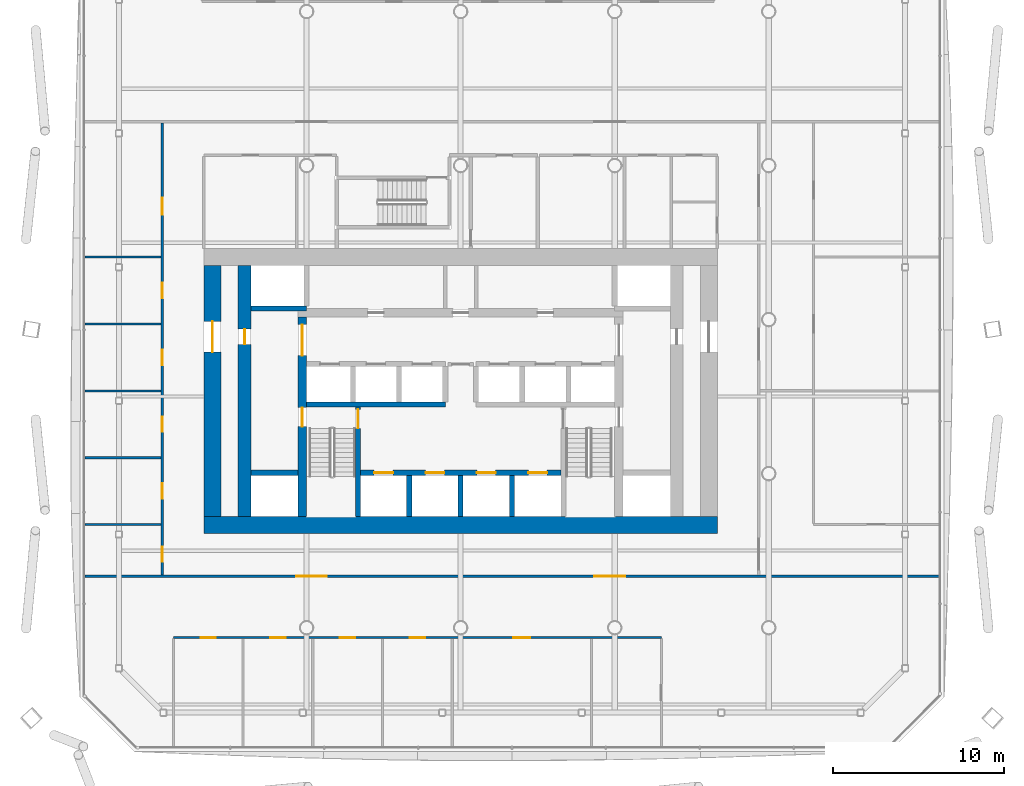
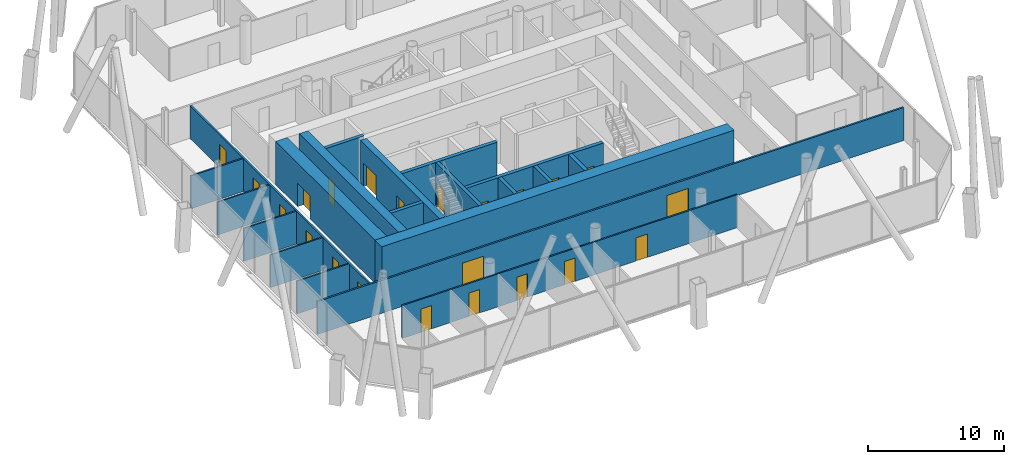
# One storey, part 14 of 22: 22 doors, 20 walls, 22 openings.
"""IFC4 building model written with IfcOpenShell, lengths in metres."""

from ifc_helpers import new_model, si_unit, direction, frame, frame_2d, origin, place, context, subcontext, project, spatial, rectangle, extrude, material, layer, layer_set, type_object, element, fill, save


model = new_model("IFC4")

# Units and contexts
model_context = context("Model", 3, precision=1e-05, world=origin(), true_north=direction((0.0, 1.0)))
body_context = subcontext(model_context, "Body", "Model", "MODEL_VIEW")
ifc_project = project(units=[si_unit("LENGTHUNIT", "METRE"), si_unit("AREAUNIT", "SQUARE_METRE"), si_unit("VOLUMEUNIT", "CUBIC_METRE"), si_unit("PLANEANGLEUNIT", "RADIAN"), si_unit("MASSUNIT", "GRAM", prefix="KILO")], contexts=[model_context])

# Site, building, storey
site_placement = place(None, origin())
site = spatial("IfcSite", under=ifc_project, at=site_placement, CompositionType="ELEMENT")
building_placement = place(site_placement, origin())
building = spatial("IfcBuilding", under=site, at=building_placement, Name="Tskaro Facet Tower", CompositionType="ELEMENT")
storey_placement = place(building_placement, frame((0.0, 0.0, 73.800048828125)))
storey = spatial("IfcBuildingStorey", under=building, at=storey_placement, Name="L17", CompositionType="ELEMENT", Elevation=73.800048828125)

# Wall
ifc_material_1 = material(Name="Concrete C60/75", Category="concrete")
ifc_layer_1 = layer(ifc_material_1, 0.300048828125, Name="Concrete C60/75")
ifc_layer_set_1 = layer_set([ifc_layer_1], Name="Concrete C60/75")
wall_type_1 = type_object("IfcWallType", Name="CORE-SHAFT", PredefinedType="SHEAR", material=ifc_layer_set_1)
wall_1_placement = place(storey_placement, frame((-12.25, -8.949951171875, 0.0), z_axis=(0.0, 0.0, 1.0), x_axis=(1.0, 0.0, 0.0)))
element("IfcWall", 1, at=wall_1_placement, inside=storey, type_object=wall_type_1, Name="Shaft wall W005", PredefinedType="SHEAR", context=body_context, shape_type="SweptSolid", body=[
    extrude(rectangle(XDim=2.75, YDim=0.300048828125, at=frame_2d((1.375, 0.0))), origin(), (0.0, 0.0, 1.0), 3.89990234375),
])

# Wall, openings, doors
wall_2_placement = place(storey_placement, frame((-5.85009765625, -8.949951171875, 0.0), z_axis=(0.0, 0.0, 1.0), x_axis=(1.0, 0.0, 0.0)))
wall_2 = element("IfcWall", 2, at=wall_2_placement, inside=storey, type_object=wall_type_1, Name="Shaft wall W006", PredefinedType="SHEAR", context=body_context, shape_type="SweptSolid", body=[
    extrude(rectangle(XDim=11.7001953125, YDim=0.300048828125, at=frame_2d((5.85009765625, 0.0))), origin(), (0.0, 0.0, 1.0), 3.89990234375),
])
opening_1_placement = place(wall_2_placement, frame((0.800048828125, 0.0, 0.0)))
opening_1 = element("IfcOpeningElement", 3, at=opening_1_placement, cuts=wall_2, Name="Opening LD-FF1", PredefinedType="OPENING", context=body_context, shape_type="SweptSolid", body=[
    extrude(rectangle(XDim=1.10009765625, YDim=2.10009765625, at=frame_2d((0.550048828125, 1.050048828125))), frame((0.0, 0.159912109375, 0.0), z_axis=(0.0, -1.0, 0.0), x_axis=(1.0, 0.0, 0.0)), (0.0, 0.0, 1.0), 0.320068359375),
])
opening_2_placement = place(wall_2_placement, frame((3.800048828125, 0.0, 0.0)))
opening_2 = element("IfcOpeningElement", 4, at=opening_2_placement, cuts=wall_2, Name="Opening LD-FF2", PredefinedType="OPENING", context=body_context, shape_type="SweptSolid", body=[
    extrude(rectangle(XDim=1.10009765625, YDim=2.10009765625, at=frame_2d((0.550048828125, 1.050048828125))), frame((0.0, 0.159912109375, 0.0), z_axis=(0.0, -1.0, 0.0), x_axis=(1.0, 0.0, 0.0)), (0.0, 0.0, 1.0), 0.320068359375),
])
opening_3_placement = place(wall_2_placement, frame((6.800048828125, 0.0, 0.0)))
opening_3 = element("IfcOpeningElement", 5, at=opening_3_placement, cuts=wall_2, Name="Opening LD-SV1", PredefinedType="OPENING", context=body_context, shape_type="SweptSolid", body=[
    extrude(rectangle(XDim=1.10009765625, YDim=2.10009765625, at=frame_2d((0.550048828125, 1.050048828125))), frame((0.0, 0.159912109375, 0.0), z_axis=(0.0, -1.0, 0.0), x_axis=(1.0, 0.0, 0.0)), (0.0, 0.0, 1.0), 0.320068359375),
])
opening_4_placement = place(wall_2_placement, frame((9.800048828125, 0.0, 0.0)))
opening_4 = element("IfcOpeningElement", 6, at=opening_4_placement, cuts=wall_2, Name="Opening LD-SV2", PredefinedType="OPENING", context=body_context, shape_type="SweptSolid", body=[
    extrude(rectangle(XDim=1.10009765625, YDim=2.10009765625, at=frame_2d((0.550048828125, 1.050048828125))), frame((0.0, 0.159912109375, 0.0), z_axis=(0.0, -1.0, 0.0), x_axis=(1.0, 0.0, 0.0)), (0.0, 0.0, 1.0), 0.320068359375),
])
ifc_material_2 = material(Name="Stainless steel", Category="steel")
door_type_1 = type_object("IfcDoorType", Name="D-LANDING", OperationType="NOTDEFINED", PredefinedType="DOOR", material=ifc_material_2)
door_1_placement = place(opening_1_placement, origin())
door_1 = element("IfcDoor", 7, at=door_1_placement, inside=storey, type_object=door_type_1, Name="Landing door FF1", OperationType="DOUBLE_DOOR_SLIDING", OverallHeight=2.10009765625, OverallWidth=1.10009765625, PredefinedType="DOOR", context=body_context, shape_type="SweptSolid", body=[
    extrude(rectangle(XDim=1.10009765625, YDim=2.10009765625, at=frame_2d((0.550048828125, 1.050048828125))), frame((0.0, 0.02490234375, 0.0), z_axis=(0.0, -1.0, 0.0), x_axis=(1.0, 0.0, 0.0)), (0.0, 0.0, 1.0), 0.050048828125),
])
fill(opening_1, door_1)
door_2_placement = place(opening_2_placement, origin())
door_2 = element("IfcDoor", 8, at=door_2_placement, inside=storey, type_object=door_type_1, Name="Landing door FF2", OperationType="DOUBLE_DOOR_SLIDING", OverallHeight=2.10009765625, OverallWidth=1.10009765625, PredefinedType="DOOR", context=body_context, shape_type="SweptSolid", body=[
    extrude(rectangle(XDim=1.10009765625, YDim=2.10009765625, at=frame_2d((0.550048828125, 1.050048828125))), frame((0.0, 0.02490234375, 0.0), z_axis=(0.0, -1.0, 0.0), x_axis=(1.0, 0.0, 0.0)), (0.0, 0.0, 1.0), 0.050048828125),
])
fill(opening_2, door_2)
door_3_placement = place(opening_3_placement, origin())
door_3 = element("IfcDoor", 9, at=door_3_placement, inside=storey, type_object=door_type_1, Name="Landing door SV1", OperationType="DOUBLE_DOOR_SLIDING", OverallHeight=2.10009765625, OverallWidth=1.10009765625, PredefinedType="DOOR", context=body_context, shape_type="SweptSolid", body=[
    extrude(rectangle(XDim=1.10009765625, YDim=2.10009765625, at=frame_2d((0.550048828125, 1.050048828125))), frame((0.0, 0.02490234375, 0.0), z_axis=(0.0, -1.0, 0.0), x_axis=(1.0, 0.0, 0.0)), (0.0, 0.0, 1.0), 0.050048828125),
])
fill(opening_3, door_3)
door_4_placement = place(opening_4_placement, origin())
door_4 = element("IfcDoor", 10, at=door_4_placement, inside=storey, type_object=door_type_1, Name="Landing door SV2", OperationType="DOUBLE_DOOR_SLIDING", OverallHeight=2.10009765625, OverallWidth=1.10009765625, PredefinedType="DOOR", context=body_context, shape_type="SweptSolid", body=[
    extrude(rectangle(XDim=1.10009765625, YDim=2.10009765625, at=frame_2d((0.550048828125, 1.050048828125))), frame((0.0, 0.02490234375, 0.0), z_axis=(0.0, -1.0, 0.0), x_axis=(1.0, 0.0, 0.0)), (0.0, 0.0, 1.0), 0.050048828125),
])
fill(opening_4, door_4)

# Walls
wall_3_placement = place(storey_placement, frame((-9.0, -4.949951171875, 0.0), z_axis=(0.0, 0.0, 1.0), x_axis=(1.0, 0.0, 0.0)))
element("IfcWall", 11, at=wall_3_placement, inside=storey, type_object=wall_type_1, Name="Shaft wall W009", PredefinedType="SHEAR", context=body_context, shape_type="SweptSolid", body=[
    extrude(rectangle(XDim=8.10009765625, YDim=0.300048828125, at=frame_2d((4.050048828125, 0.0))), origin(), (0.0, 0.0, 1.0), 3.89990234375),
])
wall_4_placement = place(storey_placement, frame((-9.0, 0.64990234375, 0.0), z_axis=(0.0, 0.0, 1.0), x_axis=(-1.0, 0.0, 0.0)))
element("IfcWall", 12, at=wall_4_placement, inside=storey, type_object=wall_type_1, Name="Shaft wall W018", PredefinedType="SHEAR", context=body_context, shape_type="SweptSolid", body=[
    extrude(rectangle(XDim=3.25, YDim=0.300048828125, at=frame_2d((1.625, 0.0))), origin(), (0.0, 0.0, 1.0), 3.89990234375),
])

# Wall, opening, door
wall_5_placement = place(storey_placement, frame((-6.0, -11.5, 0.0), z_axis=(0.0, 0.0, 1.0), x_axis=(0.0, 1.0, 0.0)))
wall_5 = element("IfcWall", 13, at=wall_5_placement, inside=storey, type_object=wall_type_1, Name="Shaft wall W043", PredefinedType="SHEAR", context=body_context, shape_type="SweptSolid", body=[
    extrude(rectangle(XDim=6.39990234375, YDim=0.300048828125, at=frame_2d((3.199951171875, 0.0))), origin(), (0.0, 0.0, 1.0), 3.89990234375),
])
opening_5_placement = place(wall_5_placement, frame((5.14990234375, 0.0, 0.0)))
opening_5 = element("IfcOpeningElement", 14, at=opening_5_placement, cuts=wall_5, Name="Opening ST-1-D1", PredefinedType="OPENING", context=body_context, shape_type="SweptSolid", body=[
    extrude(rectangle(XDim=1.10009765625, YDim=2.10009765625, at=frame_2d((0.550048828125, 1.050048828125))), frame((0.0, 0.159912109375, 0.0), z_axis=(0.0, -1.0, 0.0), x_axis=(1.0, 0.0, 0.0)), (0.0, 0.0, 1.0), 0.320068359375),
])
ifc_material_3 = material(Name="Steel", Category="steel")
door_type_2 = type_object("IfcDoorType", Name="D-STAIR", OperationType="NOTDEFINED", PredefinedType="DOOR", material=ifc_material_3)
door_5_placement = place(opening_5_placement, origin())
door_5 = element("IfcDoor", 15, at=door_5_placement, inside=storey, type_object=door_type_2, Name="Stair door 1", OperationType="SINGLE_SWING_LEFT", OverallHeight=2.10009765625, OverallWidth=1.10009765625, PredefinedType="DOOR", context=body_context, shape_type="SweptSolid", body=[
    extrude(rectangle(XDim=1.10009765625, YDim=2.10009765625, at=frame_2d((0.550048828125, 1.050048828125))), frame((0.0, 0.02490234375, 0.0), z_axis=(0.0, -1.0, 0.0), x_axis=(1.0, 0.0, 0.0)), (0.0, 0.0, 1.0), 0.050048828125),
])
fill(opening_5, door_5)

# Walls
for number, where, z_axis, x_axis, name in (
    (16, (-3.0, -11.5, 0.0), (0.0, 0.0, 1.0), (0.0, 1.0, 0.0), "Shaft wall W046"),
    (17, (0.0, -11.5, 0.0), (0.0, 0.0, 1.0), (0.0, 1.0, 0.0), "Shaft wall W053"),
    (18, (3.0, -11.5, 0.0), (0.0, 0.0, 1.0), (0.0, 1.0, 0.0), "Shaft wall W057"),
):
    element("IfcWall", number, at=place(storey_placement, frame(where, z_axis=z_axis, x_axis=x_axis)), inside=storey, type_object=wall_type_1, Name=name, PredefinedType="SHEAR", context=body_context, shape_type="SweptSolid", body=[
        extrude(rectangle(XDim=2.39990234375, YDim=0.300048828125, at=frame_2d((1.199951171875, 0.0))), origin(), (0.0, 0.0, 1.0), 3.89990234375),
    ])
ifc_layer_2 = layer(ifc_material_1, 1.0, Name="Concrete C60/75")
ifc_layer_set_2 = layer_set([ifc_layer_2], Name="Concrete C60/75")
wall_type_2 = type_object("IfcWallType", Name="Core wall 1000", PredefinedType="SHEAR", material=ifc_layer_set_2)
wall_6_placement = place(storey_placement, frame((-15.0, -12.0, 0.0), z_axis=(0.0, 0.0, 1.0), x_axis=(1.0, 0.0, 0.0)))
element("IfcWall", 19, at=wall_6_placement, inside=storey, type_object=wall_type_2, Name="Core wall CW-Z1S", PredefinedType="SHEAR", context=body_context, shape_type="SweptSolid", body=[
    extrude(rectangle(XDim=30.0, YDim=1.0, at=frame_2d((15.0, 0.0))), origin(), (0.0, 0.0, 1.0), 3.89990234375),
])

# Wall, opening, door
wall_7_placement = place(storey_placement, frame((-14.5, -11.5, 0.0), z_axis=(0.0, 0.0, 1.0), x_axis=(0.0, 1.0, 0.0)))
wall_7 = element("IfcWall", 20, at=wall_7_placement, inside=storey, type_object=wall_type_2, Name="Core wall CW-Z1W", PredefinedType="SHEAR", context=body_context, shape_type="SweptSolid", body=[
    extrude(rectangle(XDim=14.64990234375, YDim=1.0, at=frame_2d((7.324951171875, 0.0))), origin(), (0.0, 0.0, 1.0), 3.89990234375),
])
opening_6_placement = place(wall_7_placement, frame((9.60009765625, 0.0, 0.0)))
opening_6 = element("IfcOpeningElement", 21, at=opening_6_placement, cuts=wall_7, Name="Opening T5-D20", PredefinedType="OPENING", context=body_context, shape_type="SweptSolid", body=[
    extrude(rectangle(XDim=1.800048828125, YDim=2.10009765625, at=frame_2d((0.89990234375, 1.050048828125))), frame((0.0, 0.510009765625, 0.0), z_axis=(0.0, -1.0, 0.0), x_axis=(1.0, 0.0, 0.0)), (0.0, 0.0, 1.0), 1.02001953125),
])
door_type_3 = type_object("IfcDoorType", Name="D-CORE-PAIR", OperationType="NOTDEFINED", PredefinedType="DOOR", material=ifc_material_3)
door_6_placement = place(opening_6_placement, origin())
door_6 = element("IfcDoor", 22, at=door_6_placement, inside=storey, type_object=door_type_3, Name="Door T5-D20", OperationType="DOUBLE_DOOR_SINGLE_SWING", OverallHeight=2.10009765625, OverallWidth=1.800048828125, PredefinedType="DOOR", context=body_context, shape_type="SweptSolid", body=[
    extrude(rectangle(XDim=1.800048828125, YDim=2.10009765625, at=frame_2d((0.89990234375, 1.050048828125))), frame((0.0, 0.02490234375, 0.0), z_axis=(0.0, -1.0, 0.0), x_axis=(1.0, 0.0, 0.0)), (0.0, 0.0, 1.0), 0.050048828125),
])
fill(opening_6, door_6)

# Wall, openings, doors
ifc_material_4 = material(Name="Concrete C40/50", Category="concrete")
ifc_layer_3 = layer(ifc_material_4, 0.5, Name="Concrete C40/50")
ifc_layer_set_3 = layer_set([ifc_layer_3], Name="Concrete C40/50")
wall_type_3 = type_object("IfcWallType", Name="Core wall 500", PredefinedType="SHEAR", material=ifc_layer_set_3)
wall_8_placement = place(storey_placement, frame((-9.25, -11.5, 0.0), z_axis=(0.0, 0.0, 1.0), x_axis=(0.0, 1.0, 0.0)))
wall_8 = element("IfcWall", 23, at=wall_8_placement, inside=storey, type_object=wall_type_3, Name="Core wall CW-Z3W", PredefinedType="SHEAR", context=body_context, shape_type="SweptSolid", body=[
    extrude(rectangle(XDim=11.64990234375, YDim=0.5, at=frame_2d((5.824951171875, 0.0))), origin(), (0.0, 0.0, 1.0), 3.89990234375),
])
opening_7_placement = place(wall_8_placement, frame((9.39990234375, 0.0, 0.0)))
opening_7 = element("IfcOpeningElement", 24, at=opening_7_placement, cuts=wall_8, Name="Opening T5-D18", PredefinedType="OPENING", context=body_context, shape_type="SweptSolid", body=[
    extrude(rectangle(XDim=1.800048828125, YDim=2.10009765625, at=frame_2d((0.89990234375, 1.050048828125))), frame((0.0, 0.260009765625, 0.0), z_axis=(0.0, -1.0, 0.0), x_axis=(1.0, 0.0, 0.0)), (0.0, 0.0, 1.0), 0.52001953125),
])
opening_8_placement = place(wall_8_placement, frame((5.25, 0.0, 0.0)))
opening_8 = element("IfcOpeningElement", 25, at=opening_8_placement, cuts=wall_8, Name="Opening ST-1-D2", PredefinedType="OPENING", context=body_context, shape_type="SweptSolid", body=[
    extrude(rectangle(XDim=1.10009765625, YDim=2.10009765625, at=frame_2d((0.550048828125, 1.050048828125))), frame((0.0, 0.260009765625, 0.0), z_axis=(0.0, -1.0, 0.0), x_axis=(1.0, 0.0, 0.0)), (0.0, 0.0, 1.0), 0.52001953125),
])
door_7_placement = place(opening_7_placement, origin())
door_7 = element("IfcDoor", 26, at=door_7_placement, inside=storey, type_object=door_type_3, Name="Door T5-D18", OperationType="DOUBLE_DOOR_SINGLE_SWING", OverallHeight=2.10009765625, OverallWidth=1.800048828125, PredefinedType="DOOR", context=body_context, shape_type="SweptSolid", body=[
    extrude(rectangle(XDim=1.800048828125, YDim=2.10009765625, at=frame_2d((0.89990234375, 1.050048828125))), frame((0.0, 0.02490234375, 0.0), z_axis=(0.0, -1.0, 0.0), x_axis=(1.0, 0.0, 0.0)), (0.0, 0.0, 1.0), 0.050048828125),
])
fill(opening_7, door_7)
door_8_placement = place(opening_8_placement, origin())
door_8 = element("IfcDoor", 27, at=door_8_placement, inside=storey, type_object=door_type_2, Name="Stair door 1 west", OperationType="SINGLE_SWING_LEFT", OverallHeight=2.10009765625, OverallWidth=1.10009765625, PredefinedType="DOOR", context=body_context, shape_type="SweptSolid", body=[
    extrude(rectangle(XDim=1.10009765625, YDim=2.10009765625, at=frame_2d((0.550048828125, 1.050048828125))), frame((0.0, 0.02490234375, 0.0), z_axis=(0.0, -1.0, 0.0), x_axis=(1.0, 0.0, 0.0)), (0.0, 0.0, 1.0), 0.050048828125),
])
fill(opening_8, door_8)

# Wall, opening, door
ifc_material_5 = material(Name="Concrete C50/60", Category="concrete")
ifc_layer_4 = layer(ifc_material_5, 0.75, Name="Concrete C50/60")
ifc_layer_set_4 = layer_set([ifc_layer_4], Name="Concrete C50/60")
wall_type_4 = type_object("IfcWallType", Name="Core wall 750", PredefinedType="SHEAR", material=ifc_layer_set_4)
wall_9_placement = place(storey_placement, frame((-12.625, -11.5, 0.0), z_axis=(0.0, 0.0, 1.0), x_axis=(0.0, 1.0, 0.0)))
wall_9 = element("IfcWall", 28, at=wall_9_placement, inside=storey, type_object=wall_type_4, Name="Core wall CW-Z2W", PredefinedType="SHEAR", context=body_context, shape_type="SweptSolid", body=[
    extrude(rectangle(XDim=14.64990234375, YDim=0.75, at=frame_2d((7.324951171875, 0.0))), origin(), (0.0, 0.0, 1.0), 3.89990234375),
])
opening_9_placement = place(wall_9_placement, frame((10.050048828125, 0.0, 0.0)))
opening_9 = element("IfcOpeningElement", 29, at=opening_9_placement, cuts=wall_9, Name="Opening T5-D21", PredefinedType="OPENING", context=body_context, shape_type="SweptSolid", body=[
    extrude(rectangle(XDim=0.89990234375, YDim=2.10009765625, at=frame_2d((0.449951171875, 1.050048828125))), frame((0.0, 0.385009765625, 0.0), z_axis=(0.0, -1.0, 0.0), x_axis=(1.0, 0.0, 0.0)), (0.0, 0.0, 1.0), 0.77001953125),
])
ifc_material_6 = material(Name="Timber", Category="wood")
door_type_4 = type_object("IfcDoorType", Name="D-ROOM", OperationType="NOTDEFINED", PredefinedType="DOOR", material=ifc_material_6)
door_9_placement = place(opening_9_placement, origin())
door_9 = element("IfcDoor", 30, at=door_9_placement, inside=storey, type_object=door_type_4, Name="Door T5-D21", OperationType="SINGLE_SWING_LEFT", OverallHeight=2.10009765625, OverallWidth=0.89990234375, PredefinedType="DOOR", context=body_context, shape_type="SweptSolid", body=[
    extrude(rectangle(XDim=0.89990234375, YDim=2.10009765625, at=frame_2d((0.449951171875, 1.050048828125))), frame((0.0, 0.02490234375, 0.0), z_axis=(0.0, -1.0, 0.0), x_axis=(1.0, 0.0, 0.0)), (0.0, 0.0, 1.0), 0.050048828125),
])
fill(opening_9, door_9)

# Wall, openings, doors
ifc_material_7 = material(Name="Gypsum board on steel studs", Category="steel")
ifc_layer_5 = layer(ifc_material_7, 0.125, Name="Gypsum board on steel studs")
ifc_layer_set_5 = layer_set([ifc_layer_5], Name="Gypsum board on steel studs")
wall_type_5 = type_object("IfcWallType", Name="PART", PredefinedType="PARTITIONING", material=ifc_layer_set_5)
wall_10_placement = place(storey_placement, frame((11.72607421875, -18.580078125, 0.0), z_axis=(0.0, 0.0, 1.0), x_axis=(-1.0, 0.0, 0.0)))
wall_10 = element("IfcWall", 31, at=wall_10_placement, inside=storey, type_object=wall_type_5, Name="Partition W001", PredefinedType="PARTITIONING", context=body_context, shape_type="SweptSolid", body=[
    extrude(rectangle(XDim=28.510009765625, YDim=0.125, at=frame_2d((14.2548828125, 0.0))), origin(), (0.0, 0.0, 1.0), 2.9599609375),
])
opening_10_placement = place(wall_10_placement, frame((7.64599609375, 0.0, 0.0)))
opening_10 = element("IfcOpeningElement", 32, at=opening_10_placement, cuts=wall_10, Name="Opening T5-D06", PredefinedType="OPENING", context=body_context, shape_type="SweptSolid", body=[
    extrude(rectangle(XDim=1.0, YDim=2.10009765625, at=frame_2d((0.5, 1.050048828125))), frame((0.0, 0.072509765625, 0.0), z_axis=(0.0, -1.0, 0.0), x_axis=(1.0, 0.0, 0.0)), (0.0, 0.0, 1.0), 0.14501953125),
])
opening_11_placement = place(wall_10_placement, frame((26.0234375, 0.0, 0.0)))
opening_11 = element("IfcOpeningElement", 33, at=opening_11_placement, cuts=wall_10, Name="Opening T5-D02", PredefinedType="OPENING", context=body_context, shape_type="SweptSolid", body=[
    extrude(rectangle(XDim=0.89990234375, YDim=2.10009765625, at=frame_2d((0.449951171875, 1.050048828125))), frame((0.0, 0.072509765625, 0.0), z_axis=(0.0, -1.0, 0.0), x_axis=(1.0, 0.0, 0.0)), (0.0, 0.0, 1.0), 0.14501953125),
])
opening_12_placement = place(wall_10_placement, frame((21.950439453125, 0.0, 0.0)))
opening_12 = element("IfcOpeningElement", 34, at=opening_12_placement, cuts=wall_10, Name="Opening T5-D03", PredefinedType="OPENING", context=body_context, shape_type="SweptSolid", body=[
    extrude(rectangle(XDim=0.89990234375, YDim=2.10009765625, at=frame_2d((0.449951171875, 1.050048828125))), frame((0.0, 0.072509765625, 0.0), z_axis=(0.0, -1.0, 0.0), x_axis=(1.0, 0.0, 0.0)), (0.0, 0.0, 1.0), 0.14501953125),
])
opening_13_placement = place(wall_10_placement, frame((17.8779296875, 0.0, 0.0)))
opening_13 = element("IfcOpeningElement", 35, at=opening_13_placement, cuts=wall_10, Name="Opening T5-D04", PredefinedType="OPENING", context=body_context, shape_type="SweptSolid", body=[
    extrude(rectangle(XDim=0.89990234375, YDim=2.10009765625, at=frame_2d((0.449951171875, 1.050048828125))), frame((0.0, 0.072509765625, 0.0), z_axis=(0.0, -1.0, 0.0), x_axis=(1.0, 0.0, 0.0)), (0.0, 0.0, 1.0), 0.14501953125),
])
opening_14_placement = place(wall_10_placement, frame((13.805419921875, 0.0, 0.0)))
opening_14 = element("IfcOpeningElement", 36, at=opening_14_placement, cuts=wall_10, Name="Opening T5-D05", PredefinedType="OPENING", context=body_context, shape_type="SweptSolid", body=[
    extrude(rectangle(XDim=0.89990234375, YDim=2.10009765625, at=frame_2d((0.449951171875, 1.050048828125))), frame((0.0, 0.072509765625, 0.0), z_axis=(0.0, -1.0, 0.0), x_axis=(1.0, 0.0, 0.0)), (0.0, 0.0, 1.0), 0.14501953125),
])
door_10_placement = place(opening_11_placement, origin())
door_10 = element("IfcDoor", 37, at=door_10_placement, inside=storey, type_object=door_type_4, Name="Door T5-D02", OperationType="SINGLE_SWING_RIGHT", OverallHeight=2.10009765625, OverallWidth=0.89990234375, PredefinedType="DOOR", context=body_context, shape_type="SweptSolid", body=[
    extrude(rectangle(XDim=0.89990234375, YDim=2.10009765625, at=frame_2d((0.449951171875, 1.050048828125))), frame((0.0, 0.02490234375, 0.0), z_axis=(0.0, -1.0, 0.0), x_axis=(1.0, 0.0, 0.0)), (0.0, 0.0, 1.0), 0.050048828125),
])
fill(opening_11, door_10)
door_11_placement = place(opening_12_placement, origin())
door_11 = element("IfcDoor", 38, at=door_11_placement, inside=storey, type_object=door_type_4, Name="Door T5-D03", OperationType="SINGLE_SWING_RIGHT", OverallHeight=2.10009765625, OverallWidth=0.89990234375, PredefinedType="DOOR", context=body_context, shape_type="SweptSolid", body=[
    extrude(rectangle(XDim=0.89990234375, YDim=2.10009765625, at=frame_2d((0.449951171875, 1.050048828125))), frame((0.0, 0.02490234375, 0.0), z_axis=(0.0, -1.0, 0.0), x_axis=(1.0, 0.0, 0.0)), (0.0, 0.0, 1.0), 0.050048828125),
])
fill(opening_12, door_11)
door_12_placement = place(opening_13_placement, origin())
door_12 = element("IfcDoor", 39, at=door_12_placement, inside=storey, type_object=door_type_4, Name="Door T5-D04", OperationType="SINGLE_SWING_RIGHT", OverallHeight=2.10009765625, OverallWidth=0.89990234375, PredefinedType="DOOR", context=body_context, shape_type="SweptSolid", body=[
    extrude(rectangle(XDim=0.89990234375, YDim=2.10009765625, at=frame_2d((0.449951171875, 1.050048828125))), frame((0.0, 0.02490234375, 0.0), z_axis=(0.0, -1.0, 0.0), x_axis=(1.0, 0.0, 0.0)), (0.0, 0.0, 1.0), 0.050048828125),
])
fill(opening_13, door_12)
door_13_placement = place(opening_14_placement, origin())
door_13 = element("IfcDoor", 40, at=door_13_placement, inside=storey, type_object=door_type_4, Name="Door T5-D05", OperationType="SINGLE_SWING_RIGHT", OverallHeight=2.10009765625, OverallWidth=0.89990234375, PredefinedType="DOOR", context=body_context, shape_type="SweptSolid", body=[
    extrude(rectangle(XDim=0.89990234375, YDim=2.10009765625, at=frame_2d((0.449951171875, 1.050048828125))), frame((0.0, 0.02490234375, 0.0), z_axis=(0.0, -1.0, 0.0), x_axis=(1.0, 0.0, 0.0)), (0.0, 0.0, 1.0), 0.050048828125),
])
fill(opening_14, door_13)
door_type_5 = type_object("IfcDoorType", Name="D-ROOM-WIDE", OperationType="NOTDEFINED", PredefinedType="DOOR", material=ifc_material_6)
door_14_placement = place(opening_10_placement, origin())
door_14 = element("IfcDoor", 41, at=door_14_placement, inside=storey, type_object=door_type_5, Name="Door T5-D06", OperationType="SINGLE_SWING_RIGHT", OverallHeight=2.10009765625, OverallWidth=1.0, PredefinedType="DOOR", context=body_context, shape_type="SweptSolid", body=[
    extrude(rectangle(XDim=1.0, YDim=2.10009765625, at=frame_2d((0.5, 1.050048828125))), frame((0.0, 0.02490234375, 0.0), z_axis=(0.0, -1.0, 0.0), x_axis=(1.0, 0.0, 0.0)), (0.0, 0.0, 1.0), 0.050048828125),
])
fill(opening_10, door_14)

# Walls
for number, where, z_axis, x_axis, name in (
    (42, (-21.9609375, -11.972900390625, 0.0), (0.0, 0.0, 1.0), (1.0, 0.0, 0.0), "Partition W003"),
    (43, (-21.9609375, -8.068115234375, 0.0), (0.0, 0.0, 1.0), (1.0, 0.0, 0.0), "Partition W008"),
    (44, (-21.9609375, -4.162109375, 0.0), (0.0, 0.0, 1.0), (1.0, 0.0, 0.0), "Partition W011"),
    (45, (-21.9609375, -0.257080078125, 0.0), (0.0, 0.0, 1.0), (1.0, 0.0, 0.0), "Partition W017"),
    (46, (-21.9609375, 3.64794921875, 0.0), (0.0, 0.0, 1.0), (1.0, 0.0, 0.0), "Partition W020"),
):
    element("IfcWall", number, at=place(storey_placement, frame(where, z_axis=z_axis, x_axis=x_axis)), inside=storey, type_object=wall_type_5, Name=name, PredefinedType="PARTITIONING", context=body_context, shape_type="SweptSolid", body=[
        extrude(rectangle(XDim=4.4609375, YDim=0.125, at=frame_2d((2.23046875, 0.0))), origin(), (0.0, 0.0, 1.0), 2.9599609375),
    ])

# Wall, openings, doors
ifc_layer_6 = layer(ifc_material_7, 0.14990234375, Name="Gypsum board on steel studs")
ifc_layer_set_6 = layer_set([ifc_layer_6], Name="Gypsum board on steel studs")
wall_type_6 = type_object("IfcWallType", Name="PART-CORR", PredefinedType="PARTITIONING", material=ifc_layer_set_6)
wall_11_placement = place(storey_placement, frame((-21.9609375, -15.0, 0.0), z_axis=(0.0, 0.0, 1.0), x_axis=(1.0, 0.0, 0.0)))
wall_11 = element("IfcWall", 47, at=wall_11_placement, inside=storey, type_object=wall_type_6, Name="Corridor wall W002", PredefinedType="PARTITIONING", context=body_context, shape_type="SweptSolid", body=[
    extrude(rectangle(XDim=49.921875, YDim=0.14990234375, at=frame_2d((24.9609375, 0.0))), origin(), (0.0, 0.0, 1.0), 2.9599609375),
])
opening_15_placement = place(wall_11_placement, frame((12.347900390625, 0.0, 0.0)))
opening_15 = element("IfcOpeningElement", 48, at=opening_15_placement, cuts=wall_11, Name="Opening T5-D07", PredefinedType="OPENING", context=body_context, shape_type="SweptSolid", body=[
    extrude(rectangle(XDim=1.800048828125, YDim=2.10009765625, at=frame_2d((0.89990234375, 1.050048828125))), frame((0.0, 0.0849609375, 0.0), z_axis=(0.0, -1.0, 0.0), x_axis=(1.0, 0.0, 0.0)), (0.0, 0.0, 1.0), 0.169921875),
])
opening_16_placement = place(wall_11_placement, frame((29.77392578125, 0.0, 0.0)))
opening_16 = element("IfcOpeningElement", 49, at=opening_16_placement, cuts=wall_11, Name="Opening T5-D08", PredefinedType="OPENING", context=body_context, shape_type="SweptSolid", body=[
    extrude(rectangle(XDim=1.800048828125, YDim=2.10009765625, at=frame_2d((0.89990234375, 1.050048828125))), frame((0.0, 0.0849609375, 0.0), z_axis=(0.0, -1.0, 0.0), x_axis=(1.0, 0.0, 0.0)), (0.0, 0.0, 1.0), 0.169921875),
])
ifc_material_8 = material(Name="Glass", Category="glass")
door_type_6 = type_object("IfcDoorType", Name="D-ENTRY-PAIR", OperationType="NOTDEFINED", PredefinedType="DOOR", material=ifc_material_8)
door_15_placement = place(opening_15_placement, origin())
door_15 = element("IfcDoor", 50, at=door_15_placement, inside=storey, type_object=door_type_6, Name="Door T5-D07", OperationType="DOUBLE_DOOR_SINGLE_SWING", OverallHeight=2.10009765625, OverallWidth=1.800048828125, PredefinedType="DOOR", context=body_context, shape_type="SweptSolid", body=[
    extrude(rectangle(XDim=1.800048828125, YDim=2.10009765625, at=frame_2d((0.89990234375, 1.050048828125))), frame((0.0, 0.02490234375, 0.0), z_axis=(0.0, -1.0, 0.0), x_axis=(1.0, 0.0, 0.0)), (0.0, 0.0, 1.0), 0.050048828125),
])
fill(opening_15, door_15)
door_16_placement = place(opening_16_placement, origin())
door_16 = element("IfcDoor", 51, at=door_16_placement, inside=storey, type_object=door_type_6, Name="Door T5-D08", OperationType="DOUBLE_DOOR_SINGLE_SWING", OverallHeight=2.10009765625, OverallWidth=1.800048828125, PredefinedType="DOOR", context=body_context, shape_type="SweptSolid", body=[
    extrude(rectangle(XDim=1.800048828125, YDim=2.10009765625, at=frame_2d((0.89990234375, 1.050048828125))), frame((0.0, 0.02490234375, 0.0), z_axis=(0.0, -1.0, 0.0), x_axis=(1.0, 0.0, 0.0)), (0.0, 0.0, 1.0), 0.050048828125),
])
fill(opening_16, door_16)

wall_12_placement = place(storey_placement, frame((-17.425048828125, -14.925048828125, 0.0), z_axis=(0.0, 0.0, 1.0), x_axis=(0.0, 1.0, 0.0)))
wall_12 = element("IfcWall", 52, at=wall_12_placement, inside=storey, type_object=wall_type_6, Name="Corridor wall W030", PredefinedType="PARTITIONING", context=body_context, shape_type="SweptSolid", body=[
    extrude(rectangle(XDim=26.405029296875, YDim=0.14990234375, at=frame_2d((13.20263671875, 0.0))), origin(), (0.0, 0.0, 1.0), 2.9599609375),
])
opening_17_placement = place(wall_12_placement, frame((0.762451171875, 0.0, 0.0)))
opening_17 = element("IfcOpeningElement", 53, at=opening_17_placement, cuts=wall_12, Name="Opening T5-D09", PredefinedType="OPENING", context=body_context, shape_type="SweptSolid", body=[
    extrude(rectangle(XDim=0.89990234375, YDim=2.10009765625, at=frame_2d((0.449951171875, 1.050048828125))), frame((0.0, 0.0849609375, 0.0), z_axis=(0.0, -1.0, 0.0), x_axis=(1.0, 0.0, 0.0)), (0.0, 0.0, 1.0), 0.169921875),
])
opening_18_placement = place(wall_12_placement, frame((4.45458984375, 0.0, 0.0)))
opening_18 = element("IfcOpeningElement", 54, at=opening_18_placement, cuts=wall_12, Name="Opening T5-D12", PredefinedType="OPENING", context=body_context, shape_type="SweptSolid", body=[
    extrude(rectangle(XDim=0.89990234375, YDim=2.10009765625, at=frame_2d((0.449951171875, 1.050048828125))), frame((0.0, 0.0849609375, 0.0), z_axis=(0.0, -1.0, 0.0), x_axis=(1.0, 0.0, 0.0)), (0.0, 0.0, 1.0), 0.169921875),
])
opening_19_placement = place(wall_12_placement, frame((8.360107421875, 0.0, 0.0)))
opening_19 = element("IfcOpeningElement", 55, at=opening_19_placement, cuts=wall_12, Name="Opening T5-D15", PredefinedType="OPENING", context=body_context, shape_type="SweptSolid", body=[
    extrude(rectangle(XDim=0.89990234375, YDim=2.10009765625, at=frame_2d((0.449951171875, 1.050048828125))), frame((0.0, 0.0849609375, 0.0), z_axis=(0.0, -1.0, 0.0), x_axis=(1.0, 0.0, 0.0)), (0.0, 0.0, 1.0), 0.169921875),
])
opening_20_placement = place(wall_12_placement, frame((12.265380859375, 0.0, 0.0)))
opening_20 = element("IfcOpeningElement", 56, at=opening_20_placement, cuts=wall_12, Name="Opening T5-D16", PredefinedType="OPENING", context=body_context, shape_type="SweptSolid", body=[
    extrude(rectangle(XDim=0.89990234375, YDim=2.10009765625, at=frame_2d((0.449951171875, 1.050048828125))), frame((0.0, 0.0849609375, 0.0), z_axis=(0.0, -1.0, 0.0), x_axis=(1.0, 0.0, 0.0)), (0.0, 0.0, 1.0), 0.169921875),
])
opening_21_placement = place(wall_12_placement, frame((16.17041015625, 0.0, 0.0)))
opening_21 = element("IfcOpeningElement", 57, at=opening_21_placement, cuts=wall_12, Name="Opening T5-D30", PredefinedType="OPENING", context=body_context, shape_type="SweptSolid", body=[
    extrude(rectangle(XDim=0.89990234375, YDim=2.10009765625, at=frame_2d((0.449951171875, 1.050048828125))), frame((0.0, 0.0849609375, 0.0), z_axis=(0.0, -1.0, 0.0), x_axis=(1.0, 0.0, 0.0)), (0.0, 0.0, 1.0), 0.169921875),
])
opening_22_placement = place(wall_12_placement, frame((21.051513671875, 0.0, 0.0)))
opening_22 = element("IfcOpeningElement", 58, at=opening_22_placement, cuts=wall_12, Name="Opening T5-D33", PredefinedType="OPENING", context=body_context, shape_type="SweptSolid", body=[
    extrude(rectangle(XDim=1.0, YDim=2.10009765625, at=frame_2d((0.5, 1.050048828125))), frame((0.0, 0.0849609375, 0.0), z_axis=(0.0, -1.0, 0.0), x_axis=(1.0, 0.0, 0.0)), (0.0, 0.0, 1.0), 0.169921875),
])
door_17_placement = place(opening_17_placement, origin())
door_17 = element("IfcDoor", 59, at=door_17_placement, inside=storey, type_object=door_type_4, Name="Door T5-D09", OperationType="SINGLE_SWING_LEFT", OverallHeight=2.10009765625, OverallWidth=0.89990234375, PredefinedType="DOOR", context=body_context, shape_type="SweptSolid", body=[
    extrude(rectangle(XDim=0.89990234375, YDim=2.10009765625, at=frame_2d((0.449951171875, 1.050048828125))), frame((0.0, 0.02490234375, 0.0), z_axis=(0.0, -1.0, 0.0), x_axis=(1.0, 0.0, 0.0)), (0.0, 0.0, 1.0), 0.050048828125),
])
fill(opening_17, door_17)
door_18_placement = place(opening_18_placement, origin())
door_18 = element("IfcDoor", 60, at=door_18_placement, inside=storey, type_object=door_type_4, Name="Door T5-D12", OperationType="SINGLE_SWING_LEFT", OverallHeight=2.10009765625, OverallWidth=0.89990234375, PredefinedType="DOOR", context=body_context, shape_type="SweptSolid", body=[
    extrude(rectangle(XDim=0.89990234375, YDim=2.10009765625, at=frame_2d((0.449951171875, 1.050048828125))), frame((0.0, 0.02490234375, 0.0), z_axis=(0.0, -1.0, 0.0), x_axis=(1.0, 0.0, 0.0)), (0.0, 0.0, 1.0), 0.050048828125),
])
fill(opening_18, door_18)
door_19_placement = place(opening_19_placement, origin())
door_19 = element("IfcDoor", 61, at=door_19_placement, inside=storey, type_object=door_type_4, Name="Door T5-D15", OperationType="SINGLE_SWING_LEFT", OverallHeight=2.10009765625, OverallWidth=0.89990234375, PredefinedType="DOOR", context=body_context, shape_type="SweptSolid", body=[
    extrude(rectangle(XDim=0.89990234375, YDim=2.10009765625, at=frame_2d((0.449951171875, 1.050048828125))), frame((0.0, 0.02490234375, 0.0), z_axis=(0.0, -1.0, 0.0), x_axis=(1.0, 0.0, 0.0)), (0.0, 0.0, 1.0), 0.050048828125),
])
fill(opening_19, door_19)
door_20_placement = place(opening_20_placement, origin())
door_20 = element("IfcDoor", 62, at=door_20_placement, inside=storey, type_object=door_type_4, Name="Door T5-D16", OperationType="SINGLE_SWING_LEFT", OverallHeight=2.10009765625, OverallWidth=0.89990234375, PredefinedType="DOOR", context=body_context, shape_type="SweptSolid", body=[
    extrude(rectangle(XDim=0.89990234375, YDim=2.10009765625, at=frame_2d((0.449951171875, 1.050048828125))), frame((0.0, 0.02490234375, 0.0), z_axis=(0.0, -1.0, 0.0), x_axis=(1.0, 0.0, 0.0)), (0.0, 0.0, 1.0), 0.050048828125),
])
fill(opening_20, door_20)
door_21_placement = place(opening_21_placement, origin())
door_21 = element("IfcDoor", 63, at=door_21_placement, inside=storey, type_object=door_type_4, Name="Door T5-D30", OperationType="SINGLE_SWING_LEFT", OverallHeight=2.10009765625, OverallWidth=0.89990234375, PredefinedType="DOOR", context=body_context, shape_type="SweptSolid", body=[
    extrude(rectangle(XDim=0.89990234375, YDim=2.10009765625, at=frame_2d((0.449951171875, 1.050048828125))), frame((0.0, 0.02490234375, 0.0), z_axis=(0.0, -1.0, 0.0), x_axis=(1.0, 0.0, 0.0)), (0.0, 0.0, 1.0), 0.050048828125),
])
fill(opening_21, door_21)
door_22_placement = place(opening_22_placement, origin())
door_22 = element("IfcDoor", 64, at=door_22_placement, inside=storey, type_object=door_type_5, Name="Door T5-D33", OperationType="SINGLE_SWING_LEFT", OverallHeight=2.10009765625, OverallWidth=1.0, PredefinedType="DOOR", context=body_context, shape_type="SweptSolid", body=[
    extrude(rectangle(XDim=1.0, YDim=2.10009765625, at=frame_2d((0.5, 1.050048828125))), frame((0.0, 0.02490234375, 0.0), z_axis=(0.0, -1.0, 0.0), x_axis=(1.0, 0.0, 0.0)), (0.0, 0.0, 1.0), 0.050048828125),
])
fill(opening_22, door_22)

save(model, "model.ifc")
